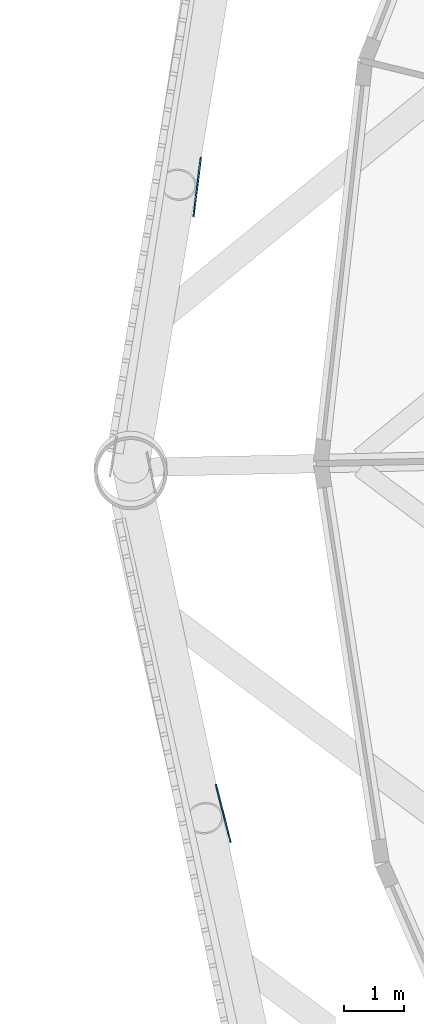
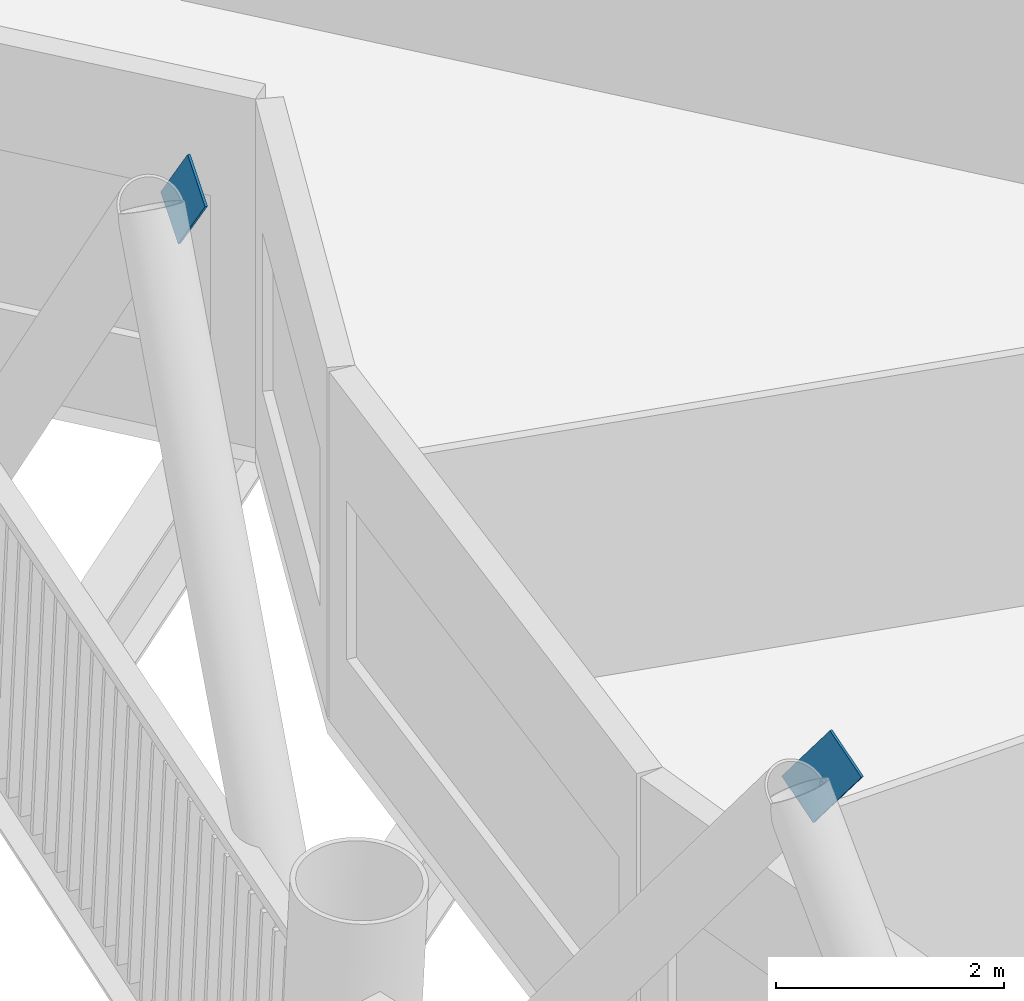
# One storey, part 10 of 22: 2 discrete accessories.
"""IFC4 building model written with IfcOpenShell, lengths in metres."""

from ifc_helpers import new_model, si_unit, direction, frame, origin, origin_2d, place, context, subcontext, project, spatial, rectangle, extrude, material, material_profile, profile_set, type_object, element, save


model = new_model("IFC4")

# Units and contexts
model_context = context("Model", 3, precision=1e-05, world=origin(), true_north=direction((0.0, 1.0)))
body_context = subcontext(model_context, "Body", "Model", "MODEL_VIEW")
ifc_project = project(units=[si_unit("LENGTHUNIT", "METRE"), si_unit("AREAUNIT", "SQUARE_METRE"), si_unit("VOLUMEUNIT", "CUBIC_METRE"), si_unit("PLANEANGLEUNIT", "RADIAN"), si_unit("MASSUNIT", "GRAM", prefix="KILO")], contexts=[model_context])

# Site, building, storey
site_placement = place(None, origin())
site = spatial("IfcSite", under=ifc_project, at=site_placement, CompositionType="ELEMENT")
building_placement = place(site_placement, origin())
building = spatial("IfcBuilding", under=site, at=building_placement, Name="Tarsis Ring Headquarters", CompositionType="ELEMENT")
storey_placement = place(building_placement, frame((0.0, 0.0, 40.0)))
storey = spatial("IfcBuildingStorey", under=building, at=storey_placement, Name="L07", CompositionType="ELEMENT", Elevation=40.0)

# Discrete accessories
ifc_material = material(Name="Structural steel S355", Category="steel")
ifc_material_profile = material_profile(ifc_material, rectangle(XDim=0.02490234375, YDim=0.5, at=origin_2d()), Name="PL 25x500")
ifc_profile_set = profile_set([ifc_material_profile], Name="Structural steel S355")
discrete_accessory_type = type_object("IfcDiscreteAccessoryType", Name="Gusset plate Exo brace 25", PredefinedType="BRACKET", material=ifc_profile_set)
for number, where, z_axis, x_axis, name in (
    (1, (-27.57080078125, -6.08935546875, 7.4033203125), (0.149406417481, -0.590057697798, 0.793416432704), (0.969406710695, 0.245460035972, 0.0), "Gusset plate GP5"),
    (2, (-27.894287109375, 4.375732421875, 7.4033203125), (-0.075678947751, -0.603966828183, 0.793408323199), (0.992240810905, -0.124330901932, 0.0), "Gusset plate GP5"),
):
    element("IfcDiscreteAccessory", number, at=place(storey_placement, frame(where, z_axis=z_axis, x_axis=x_axis)), inside=storey, type_object=discrete_accessory_type, Name=name, PredefinedType="BRACKET", context=body_context, shape_type="SweptSolid", body=[
        extrude(rectangle(XDim=0.02490234375, YDim=0.5, at=origin_2d()), origin(), (0.0, 0.0, 1.0), 1.0),
    ])

save(model, "model.ifc")
